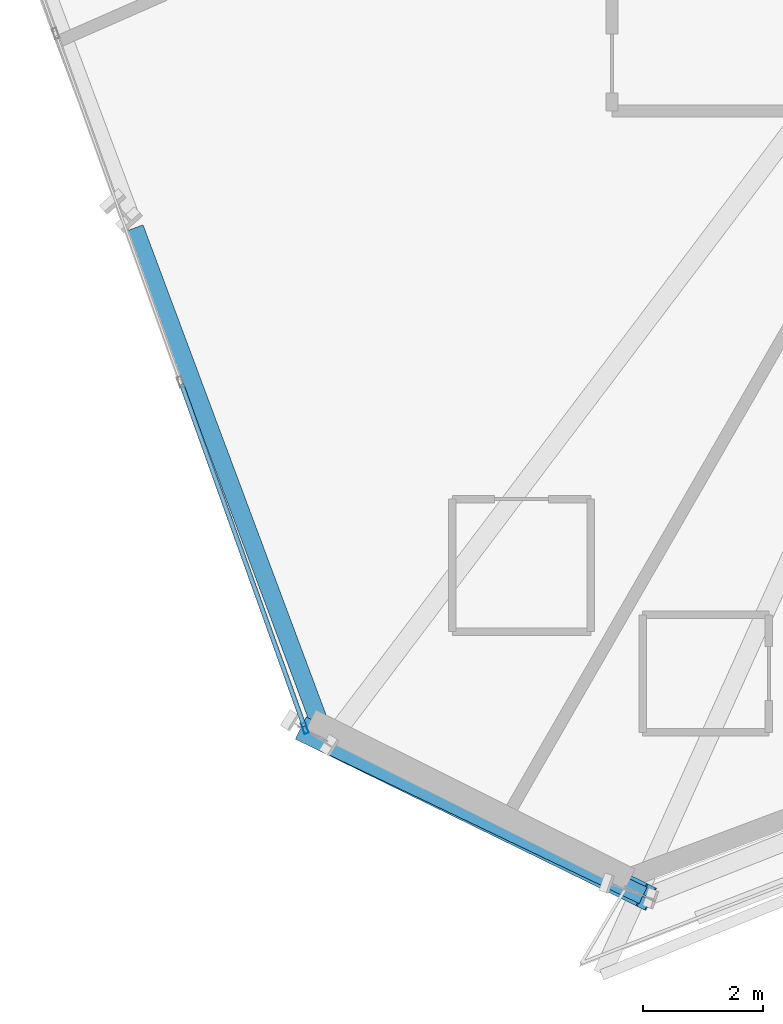
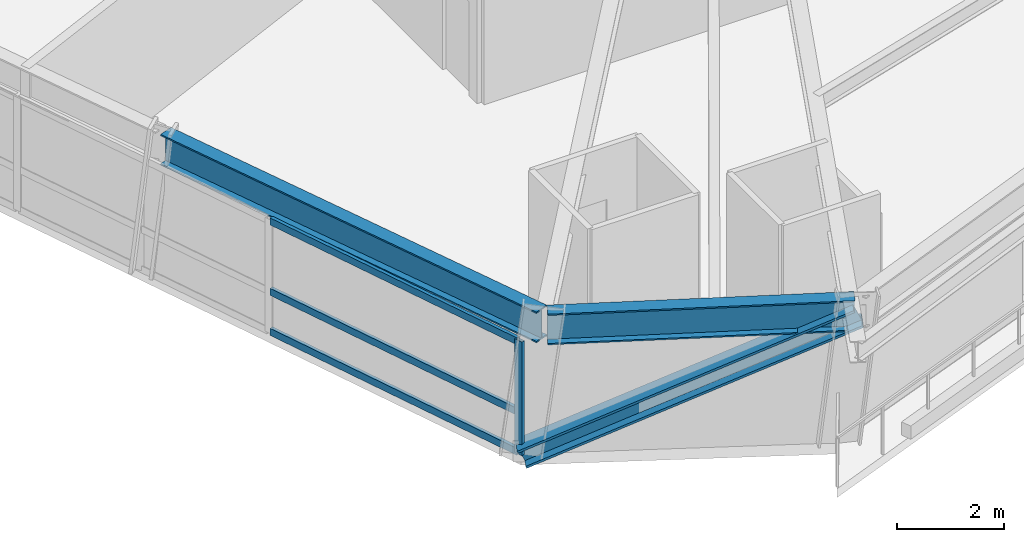
# One storey, part 2 of 24: 5 members, 2 beams, 1 element without a shape of its own.
"""IFC4 building model written with IfcOpenShell, lengths in metres."""

from ifc_helpers import new_model, si_unit, direction, frame, origin, origin_2d, place, context, subcontext, project, spatial, hollow_rectangle, i_section, extrude, source, transform, mapped, material, material_profile, profile_set, type_object, element, aggregate, save


model = new_model("IFC4")

# Units and contexts
model_context = context("Model", 3, precision=1e-05, world=origin(), true_north=direction((0.0, 1.0)))
body_context = subcontext(model_context, "Body", "Model", "MODEL_VIEW")
ifc_project = project(units=[si_unit("LENGTHUNIT", "METRE"), si_unit("AREAUNIT", "SQUARE_METRE"), si_unit("VOLUMEUNIT", "CUBIC_METRE"), si_unit("PLANEANGLEUNIT", "RADIAN"), si_unit("MASSUNIT", "GRAM", prefix="KILO")], contexts=[model_context])

# Site, building, storey
site_placement = place(None, origin())
site = spatial("IfcSite", under=ifc_project, at=site_placement, CompositionType="ELEMENT")
building_placement = place(site_placement, origin())
building = spatial("IfcBuilding", under=site, at=building_placement, Name="Olszyna Solenne Hotel", CompositionType="ELEMENT")
storey_placement = place(building_placement, frame((0.0, 0.0, 64.800048828125)))
storey = spatial("IfcBuildingStorey", under=building, at=storey_placement, Name="L16", CompositionType="ELEMENT", Elevation=64.800048828125)

# Beams
ifc_material_1 = material(Name="Steel S355J2", Category="steel")
ifc_material_profile_1 = material_profile(ifc_material_1, i_section(OverallWidth=0.300048828125, OverallDepth=0.699951171875, WebThickness=0.01708984375, FlangeThickness=0.031982421875, at=origin_2d()), Name="HEB 700", Category="load-bearing")
ifc_profile_set_1 = profile_set([ifc_material_profile_1], Name="Steel S355J2")
beam_type = type_object("IfcBeamType", Name="BM-S1", PredefinedType="BEAM", material=ifc_profile_set_1)
shared_shape_1 = source(origin(), body_context, "Body", "SweptSolid", [
    extrude(i_section(OverallWidth=0.300048828125, OverallDepth=0.699951171875, WebThickness=0.01708984375, FlangeThickness=0.031982421875, at=origin_2d()), origin(), (0.0, 0.0, 1.0), 9.097412109375),
])
beam_1_placement = place(storey_placement, frame((19.3701171875, 14.759765625, 2.949951171875), z_axis=(0.349976188921, -0.936758596004, 0.0), x_axis=(0.936758596004, 0.349976188921, 0.0)))
element("IfcBeam", 1, at=beam_1_placement, inside=storey, type_object=beam_type, Name="Perimeter spandrel beam BM-S1 B-L16-0502", PredefinedType="BEAM", context=body_context, shape_type="MappedRepresentation", body=[
    mapped(shared_shape_1, transform((0.0, 0.0, 0.0), x_axis=(1.0, 0.0, 0.0), y_axis=(0.0, 1.0, 0.0), z_axis=(0.0, 0.0, 1.0), scale=1.0)),
])
shared_shape_2 = source(origin(), body_context, "Body", "SweptSolid", [
    extrude(i_section(OverallWidth=0.300048828125, OverallDepth=0.699951171875, WebThickness=0.01708984375, FlangeThickness=0.031982421875, at=origin_2d()), origin(), (0.0, 0.0, 1.0), 5.75634765625),
])
beam_2_placement = place(storey_placement, frame((22.62890625, 6.15576171875, 2.949951171875), z_axis=(0.901849081409, -0.432051194145, 0.0), x_axis=(0.432051194145, 0.901849081409, 0.0)))
element("IfcBeam", 2, at=beam_2_placement, inside=storey, type_object=beam_type, Name="Perimeter spandrel beam BM-S1 B-L16-0503", PredefinedType="BEAM", context=body_context, shape_type="MappedRepresentation", body=[
    mapped(shared_shape_2, transform((0.0, 0.0, 0.0), x_axis=(1.0, 0.0, 0.0), y_axis=(0.0, 1.0, 0.0), z_axis=(0.0, 0.0, 1.0), scale=1.0)),
])

# Member
ifc_material_2 = material(Name="Steel S460M", Category="steel")
ifc_material_profile_2 = material_profile(ifc_material_2, i_section(OverallWidth=0.412109375, OverallDepth=0.43505859375, WebThickness=0.031494140625, FlangeThickness=0.050048828125, at=origin_2d()), Name="HD 400x463", Category="load-bearing")
ifc_profile_set_2 = profile_set([ifc_material_profile_2], Name="Steel S460M")
member_type_1 = type_object("IfcMemberType", Name="BR-T1", PredefinedType="BRACE", material=ifc_profile_set_2)
shared_shape_3 = source(origin(), body_context, "Body", "SweptSolid", [
    extrude(i_section(OverallWidth=0.412109375, OverallDepth=0.43505859375, WebThickness=0.031494140625, FlangeThickness=0.050048828125, at=origin_2d()), origin(), (0.0, 0.0, 1.0), 6.938720703125),
])
member_1_placement = place(storey_placement, frame((22.213623046875, 6.41064453125, 0.010009765625), z_axis=(0.81583021241, -0.398925386997, 0.418664065962), x_axis=(0.439276839872, 0.898351745115, 0.0)))
element("IfcMember", 3, at=member_1_placement, inside=storey, type_object=member_type_1, Name="Perimeter braced-tube diagonal BR-T1 BR-L16-3", PredefinedType="BRACE", context=body_context, shape_type="MappedRepresentation", body=[
    mapped(shared_shape_3, transform((0.0, 0.0, 0.0), x_axis=(1.0, 0.0, 0.0), y_axis=(0.0, 1.0, 0.0), z_axis=(0.0, 0.0, 1.0), scale=1.0)),
])

# Curtain wall, members
ifc_material_3 = material(Name="Anodised bronze aluminium", Category="aluminium")
curtain_wall_type = type_object("IfcCurtainWallType", Name="CW-SYS-2", PredefinedType="NOTDEFINED", material=ifc_material_3)
curtain_wall_placement = place(storey_placement, origin())
curtain_wall = element("IfcCurtainWall", 4, at=curtain_wall_placement, inside=storey, type_object=curtain_wall_type, Name="Unitised curtain wall CW-SYS-2 CW-L16-01", PredefinedType="NOTDEFINED")
ifc_material_profile_3 = material_profile(ifc_material_3, hollow_rectangle(XDim=0.074951171875, YDim=0.179931640625, WallThickness=0.00439453125, at=origin_2d()), Name="MULL 180x75x4.5", Category="load-bearing")
ifc_profile_set_3 = profile_set([ifc_material_profile_3], Name="Anodised bronze aluminium")
member_type_2 = type_object("IfcMemberType", Name="CW-M2", PredefinedType="MULLION", material=ifc_profile_set_3)
shared_shape_4 = source(origin(), body_context, "Body", "SweptSolid", [
    extrude(hollow_rectangle(XDim=0.074951171875, YDim=0.179931640625, WallThickness=0.00439453125, at=origin_2d()), origin(), (0.0, 0.0, 1.0), 2.592041015625),
])
member_2_placement = place(storey_placement, frame((22.200927734375, 6.446044921875, 0.0), z_axis=(0.0, 0.0, 1.0), x_axis=(0.941289089239, 0.337601615042, 0.0)))
member_2 = element("IfcMember", 5, at=member_2_placement, type_object=member_type_2, Name="Curtain-wall mullion CW-M2 CM-L16-01-04", PredefinedType="MULLION", context=body_context, shape_type="MappedRepresentation", body=[
    mapped(shared_shape_4, transform((0.0, 0.0, 0.0), x_axis=(1.0, 0.0, 0.0), y_axis=(0.0, 1.0, 0.0), z_axis=(0.0, 0.0, 1.0), scale=1.0)),
])
ifc_material_profile_4 = material_profile(ifc_material_3, hollow_rectangle(XDim=0.074951171875, YDim=0.159912109375, WallThickness=0.00390625, at=origin_2d()), Name="TRAN 160x75x4", Category="load-bearing")
ifc_profile_set_4 = profile_set([ifc_material_profile_4], Name="Anodised bronze aluminium")
member_type_3 = type_object("IfcMemberType", Name="CW-T1", PredefinedType="USERDEFINED", material=ifc_profile_set_4)
shared_shape_5 = source(origin(), body_context, "Body", "SweptSolid", [
    extrude(hollow_rectangle(XDim=0.074951171875, YDim=0.159912109375, WallThickness=0.00390625, at=origin_2d()), origin(), (0.0, 0.0, 1.0), 6.03955078125),
])
member_3_placement = place(storey_placement, frame((20.1494140625, 12.166259765625, 0.037353515625), z_axis=(0.337575511664, -0.941298451037, 0.0), x_axis=(0.941298451037, 0.337575511664, 0.0)))
member_3 = element("IfcMember", 6, at=member_3_placement, type_object=member_type_3, Name="Curtain-wall transom CW-T1 CT-L16-01-07", ObjectType="TRANSOM", PredefinedType="USERDEFINED", context=body_context, shape_type="MappedRepresentation", body=[
    mapped(shared_shape_5, transform((0.0, 0.0, 0.0), x_axis=(1.0, 0.0, 0.0), y_axis=(0.0, 1.0, 0.0), z_axis=(0.0, 0.0, 1.0), scale=1.0)),
])
member_4_placement = place(storey_placement, frame((20.1494140625, 12.166259765625, 0.949951171875), z_axis=(0.337575511664, -0.941298451037, 0.0), x_axis=(0.941298451037, 0.337575511664, 0.0)))
member_4 = element("IfcMember", 7, at=member_4_placement, type_object=member_type_3, Name="Curtain-wall transom CW-T1 CT-L16-01-08", ObjectType="TRANSOM", PredefinedType="USERDEFINED", context=body_context, shape_type="MappedRepresentation", body=[
    mapped(shared_shape_5, transform((0.0, 0.0, 0.0), x_axis=(1.0, 0.0, 0.0), y_axis=(0.0, 1.0, 0.0), z_axis=(0.0, 0.0, 1.0), scale=1.0)),
])
member_5_placement = place(storey_placement, frame((20.1494140625, 12.166259765625, 2.554443359375), z_axis=(0.337575511664, -0.941298451037, 0.0), x_axis=(0.941298451037, 0.337575511664, 0.0)))
member_5 = element("IfcMember", 8, at=member_5_placement, type_object=member_type_3, Name="Curtain-wall transom CW-T1 CT-L16-01-09", ObjectType="TRANSOM", PredefinedType="USERDEFINED", context=body_context, shape_type="MappedRepresentation", body=[
    mapped(shared_shape_5, transform((0.0, 0.0, 0.0), x_axis=(1.0, 0.0, 0.0), y_axis=(0.0, 1.0, 0.0), z_axis=(0.0, 0.0, 1.0), scale=1.0)),
])
aggregate(curtain_wall, [member_2, member_3, member_4, member_5])

save(model, "model.ifc")
